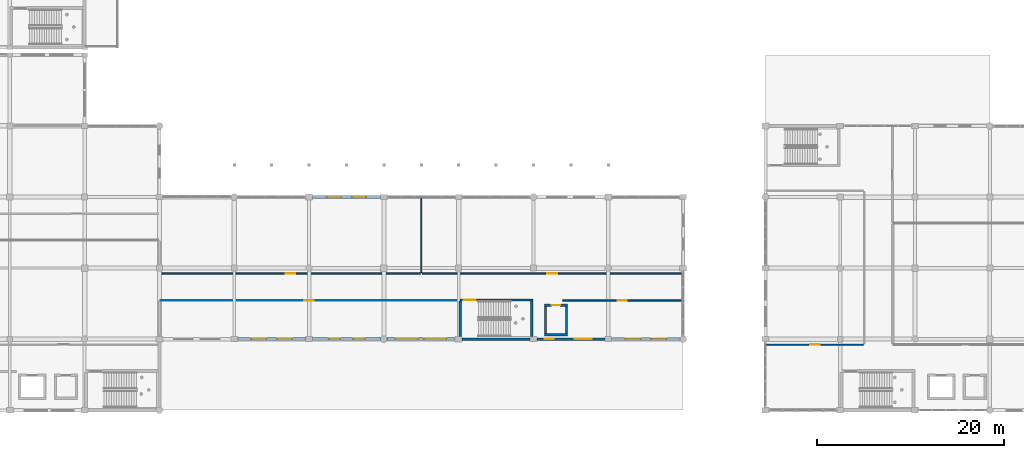
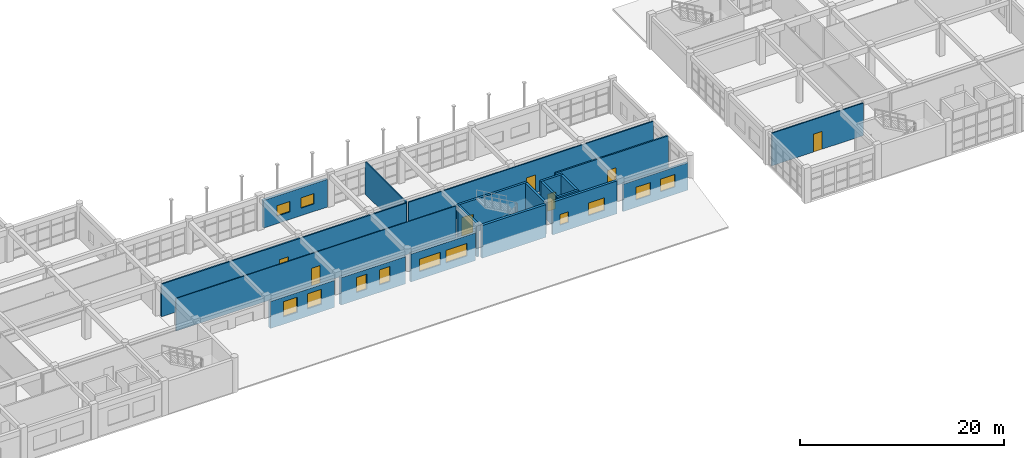
# One storey, part 167 of 195: 20 walls, 12 windows, 7 doors, 19 openings.
"""IFC4 building model written with IfcOpenShell, lengths in metres."""

import ifcopenshell
import ifcopenshell.guid

model = None  # the IFC model being written
_history = None  # IfcOwnerHistory: only IFC2X3 demands one
_inside = {}  # id of a spatial element -> (the spatial element, [elements in it])
_under = {}  # id of a project, library or spatial element -> (it, [spatial elements below it])
_declared = {}  # id of a project -> (the project, [libraries it declares])
_typed = {}  # id of a type object -> (the type object, [elements of that type])
_made_of = {}  # id of a material, layer set ... -> (it, [elements and type objects made of it])


def new_model(schema):
    """Start an empty IFC model of exactly this schema.

    Asked for "IFC4X3", IfcOpenShell would pick the latest addendum, in which some entities
    have other attributes; the version numbers below select the first issue.
    IFC2X3 requires an IfcOwnerHistory on every rooted entity: one is made here for all.
    """
    global model, _history
    if schema == "IFC4X3":
        model = ifcopenshell.file(schema_version=(4, 3, 0, 0))
    else:
        model = ifcopenshell.file(schema=schema)
    _inside.clear()
    _under.clear()
    _declared.clear()
    _typed.clear()
    _made_of.clear()
    _history = None
    if model.schema == "IFC2X3":
        org = make("IfcOrganization", Name="unknown")
        user = make(
            "IfcPersonAndOrganization",
            ThePerson=make("IfcPerson", FamilyName="unknown"),
            TheOrganization=org,
        )
        app = make(
            "IfcApplication",
            ApplicationDeveloper=org,
            Version="unknown",
            ApplicationFullName="unknown",
            ApplicationIdentifier="unknown",
        )
        _history = make(
            "IfcOwnerHistory",
            OwningUser=user,
            OwningApplication=app,
            ChangeAction="ADDED",
            CreationDate=0,
        )
    return model


def make(cls, **values):
    """One entity of the class cls with the attributes given. An attribute that is None is left unset."""
    return model.create_entity(
        cls, **{name: value for name, value in values.items() if value is not None}
    )


def rooted(cls, **values):
    """An entity with a GlobalId (a new one), such as an element, a storey or a relation."""
    return make(cls, GlobalId=ifcopenshell.guid.new(), OwnerHistory=_history, **values)


def si_unit(unit_type, name, prefix=None):
    """IfcSIUnit, for example si_unit("LENGTHUNIT", "METRE", prefix="MILLI")."""
    return make("IfcSIUnit", UnitType=unit_type, Prefix=prefix, Name=name)


def assignment(units):
    """IfcUnitAssignment: the units of a project."""
    return None if units is None else make("IfcUnitAssignment", Units=units)


def point(xyz):
    """IfcCartesianPoint."""
    return None if xyz is None else make("IfcCartesianPoint", Coordinates=xyz)


def direction(xyz):
    """IfcDirection."""
    return None if xyz is None else make("IfcDirection", DirectionRatios=xyz)


def frame(location, z_axis=None, x_axis=None):
    """IfcAxis2Placement3D, a coordinate frame: its origin and axes. An axis left out is left unset."""
    return make(
        "IfcAxis2Placement3D",
        Location=point(location),
        Axis=direction(z_axis),
        RefDirection=direction(x_axis),
    )


def frame_2d(location, x_axis=None):
    """IfcAxis2Placement2D, a coordinate frame in the plane: its origin and x axis."""
    return make(
        "IfcAxis2Placement2D", Location=point(location), RefDirection=direction(x_axis)
    )


def origin():
    """The frame at (0, 0, 0) with its axes left unset."""
    return frame((0.0, 0.0, 0.0))


def place(relative_to, where):
    """IfcLocalPlacement: puts the frame where relative to a parent placement (None: the world)."""
    return make(
        "IfcLocalPlacement", PlacementRelTo=relative_to, RelativePlacement=where
    )


def context(
    kind, dimensions, precision=None, world=None, true_north=None, identifier=None
):
    """IfcGeometricRepresentationContext, for example the 3D "Model" context."""
    return make(
        "IfcGeometricRepresentationContext",
        ContextIdentifier=identifier,
        ContextType=kind,
        CoordinateSpaceDimension=dimensions,
        Precision=precision,
        WorldCoordinateSystem=world,
        TrueNorth=true_north,
    )


def subcontext(parent, identifier, kind, view, scale=None):
    """IfcGeometricRepresentationSubContext, for example "Body" below "Model"."""
    return make(
        "IfcGeometricRepresentationSubContext",
        ContextIdentifier=identifier,
        ContextType=kind,
        ParentContext=parent,
        TargetScale=scale,
        TargetView=view,
    )


def project(units=None, contexts=None):
    """IfcProject with its units and contexts."""
    return rooted(
        "IfcProject",
        Name="project",
        RepresentationContexts=contexts,
        UnitsInContext=assignment(units),
    )


def spatial(cls, under=None, at=None, **own):
    """A site, building, storey or space (cls), placed at a placement, below another one or the project."""
    s = rooted(cls, ObjectPlacement=at, **own)
    if under is not None:
        _under.setdefault(under.id(), (under, []))[1].append(s)
    return s


def profile(cls, at=None, kind="AREA", **sizes):
    """A parametric profile (cls). Its sizes go by their IFC names, for example OverallWidth=200.0."""
    return make(cls, ProfileType=kind, Position=at, **sizes)


def rectangle(**sizes):
    """IfcRectangleProfileDef."""
    return profile("IfcRectangleProfileDef", **sizes)


def extrude(swept, where, along, depth):
    """IfcExtrudedAreaSolid: the profile swept, set in the frame where, extruded along a direction by depth."""
    return make(
        "IfcExtrudedAreaSolid",
        SweptArea=swept,
        Position=where,
        ExtrudedDirection=direction(along),
        Depth=depth,
    )


def shape(context_of_items, identifier, shape_type, items):
    """IfcShapeRepresentation: the items that make up one representation, for example the "Body"."""
    return make(
        "IfcShapeRepresentation",
        ContextOfItems=context_of_items,
        RepresentationIdentifier=identifier,
        RepresentationType=shape_type,
        Items=items,
    )


def material(Name=None, Category=None):
    """IfcMaterial."""
    return make("IfcMaterial", Name=Name, Category=Category)


def layer(
    of_material, thickness, ventilated=None, Name=None, Category=None, Priority=None
):
    """IfcMaterialLayer: one layer of a wall or slab, of a material (None: an air gap)."""
    return make(
        "IfcMaterialLayer",
        Material=of_material,
        LayerThickness=thickness,
        IsVentilated=ventilated,
        Name=Name,
        Category=Category,
        Priority=Priority,
    )


def layer_set(layers, Name=None):
    """IfcMaterialLayerSet."""
    return make("IfcMaterialLayerSet", MaterialLayers=layers, LayerSetName=Name)


def made_of(thing, what):
    """Note that an element or type object is made of a material, layer set ...; save() writes the relation."""
    if what is not None:
        _made_of.setdefault(what.id(), (what, []))[1].append(thing)
    return thing


def type_object(cls, material=None, **own):
    """A type object (cls), such as IfcWallType, which elements share."""
    return made_of(rooted(cls, **own), material)


def element(
    cls,
    number,
    at=None,
    inside=None,
    cuts=None,
    type_object=None,
    material=None,
    context=None,
    identifier="Body",
    shape_type=None,
    held_by="IfcProductDefinitionShape",
    body=None,
    shapes=None,
    **own,
):
    """One element of the class cls, such as IfcWall. Its Tag is "e" and its number.

    at: its placement. inside: the storey or other place that contains it. cuts: it is an
    opening in that element (IfcRelVoidsElement). A single representation is given by context,
    identifier, shape_type and body (its items); several are given by shapes. held_by: the class
    of the entity that holds the representations. save() writes the other relations.
    """
    e = rooted(cls, Tag="e%d" % number, ObjectPlacement=at, **own)
    if body is not None:
        shapes = [shape(context, identifier, shape_type, body)]
    if shapes is not None:
        e.Representation = make(held_by, Representations=shapes)
    if inside is not None:
        _inside.setdefault(inside.id(), (inside, []))[1].append(e)
    if cuts is not None:
        rooted(
            "IfcRelVoidsElement", RelatingBuildingElement=cuts, RelatedOpeningElement=e
        )
    if type_object is not None:
        _typed.setdefault(type_object.id(), (type_object, []))[1].append(e)
    return made_of(e, material)


def fill(opening, filler):
    """IfcRelFillsElement: the door or window that sits in an opening."""
    return rooted(
        "IfcRelFillsElement",
        RelatingOpeningElement=opening,
        RelatedBuildingElement=filler,
    )


def aggregate(whole, parts):
    """IfcRelAggregates: a whole, such as a stair, and the parts it consists of."""
    return rooted("IfcRelAggregates", RelatingObject=whole, RelatedObjects=parts)


def save(model, path):
    """Write the relations noted so far, then the file.

    IfcRelAggregates (storeys below a building ...), IfcRelContainedInSpatialStructure (elements
    in a storey), IfcRelDefinesByType, IfcRelAssociatesMaterial and IfcRelDeclares: one each for
    every whole, place, type object, material and project.
    """
    for whole, parts in _under.values():
        aggregate(whole, parts)
    for where, things in _inside.values():
        rooted(
            "IfcRelContainedInSpatialStructure",
            RelatedElements=things,
            RelatingStructure=where,
        )
    for kind, things in _typed.values():
        rooted("IfcRelDefinesByType", RelatedObjects=things, RelatingType=kind)
    for what, things in _made_of.values():
        rooted("IfcRelAssociatesMaterial", RelatedObjects=things, RelatingMaterial=what)
    for by, libraries in _declared.values():
        rooted("IfcRelDeclares", RelatingContext=by, RelatedDefinitions=libraries)
    model.write(path)


model = new_model("IFC4")

# Units and contexts
model_context = context("Model", 3, precision=1e-05, world=origin(), true_north=direction((0.0, 1.0)))
body_context = subcontext(model_context, "Body", "Model", "MODEL_VIEW")
ifc_project = project(units=[si_unit("LENGTHUNIT", "METRE"), si_unit("AREAUNIT", "SQUARE_METRE"), si_unit("VOLUMEUNIT", "CUBIC_METRE"), si_unit("PLANEANGLEUNIT", "RADIAN"), si_unit("MASSUNIT", "GRAM", prefix="KILO")], contexts=[model_context])

# Site, building, storey
site_placement = place(None, origin())
site = spatial("IfcSite", under=ifc_project, at=site_placement, CompositionType="ELEMENT")
building_placement = place(site_placement, origin())
building = spatial("IfcBuilding", under=site, at=building_placement, Name="Kharva Crest Polytechnic", CompositionType="ELEMENT")
storey_placement = place(building_placement, frame((0.0, 0.0, 9.0)))
storey = spatial("IfcBuildingStorey", under=building, at=storey_placement, Name="L02", CompositionType="ELEMENT", Elevation=9.0)

# Wall, openings, windows
ifc_material_1 = material(Name="Kiln brick masonry", Category="masonry")
ifc_layer_1 = layer(ifc_material_1, 0.260009765625, Name="Kiln brick masonry")
ifc_layer_set_1 = layer_set([ifc_layer_1], Name="Kiln brick masonry")
wall_type_1 = type_object("IfcWallType", Name="WL-EXT-BRK-260", PredefinedType="SOLIDWALL", material=ifc_layer_set_1)
wall_1_placement = place(storey_placement, frame((104.35498046875, 7.60009765625, 0.0), z_axis=(0.0, 0.0, 1.0), x_axis=(1.0, 0.0, 0.0)))
wall_1 = element("IfcWall", 1, at=wall_1_placement, inside=storey, type_object=wall_type_1, Name="L02 Exterior Brick Wall 227", PredefinedType="SOLIDWALL", context=body_context, shape_type="SweptSolid", body=[
    extrude(rectangle(XDim=7.342529296875, YDim=0.260009765625, at=frame_2d((3.67138671875, 0.0))), origin(), (0.0, 0.0, 1.0), 3.27001953125),
])
opening_1_placement = place(wall_1_placement, frame((1.488037109375, 0.0, 0.89990234375)))
opening_1 = element("IfcOpeningElement", 2, at=opening_1_placement, cuts=wall_1, Name="Opening W14", PredefinedType="OPENING", context=body_context, shape_type="SweptSolid", body=[
    extrude(rectangle(XDim=1.60009765625, YDim=1.5, at=frame_2d((0.800048828125, 0.75))), frame((0.0, 0.139892578125, 0.0), z_axis=(0.0, -1.0, 0.0), x_axis=(1.0, 0.0, 0.0)), (0.0, 0.0, 1.0), 0.280029296875),
])
opening_2_placement = place(wall_1_placement, frame((4.2548828125, 0.0, 0.89990234375)))
opening_2 = element("IfcOpeningElement", 3, at=opening_2_placement, cuts=wall_1, Name="Opening W14", PredefinedType="OPENING", context=body_context, shape_type="SweptSolid", body=[
    extrude(rectangle(XDim=1.60009765625, YDim=1.5, at=frame_2d((0.800048828125, 0.75))), frame((0.0, 0.139892578125, 0.0), z_axis=(0.0, -1.0, 0.0), x_axis=(1.0, 0.0, 0.0)), (0.0, 0.0, 1.0), 0.280029296875),
])
ifc_material_2 = material(Name="Anodised aluminium", Category="aluminium")
window_type_1 = type_object("IfcWindowType", Name="WIN-ALU-1600X1500", PartitioningType="SINGLE_PANEL", PredefinedType="WINDOW", material=ifc_material_2)
window_1_placement = place(opening_1_placement, origin())
window_1 = element("IfcWindow", 4, at=window_1_placement, inside=storey, type_object=window_type_1, Name="L02 Exterior Window 299", OverallHeight=1.5, OverallWidth=1.60009765625, PartitioningType="SINGLE_PANEL", PredefinedType="WINDOW", context=body_context, shape_type="SweptSolid", body=[
    extrude(rectangle(XDim=1.60009765625, YDim=1.5, at=frame_2d((0.800048828125, 0.75))), frame((0.0, 0.030029296875, 0.0), z_axis=(0.0, -1.0, 0.0), x_axis=(1.0, 0.0, 0.0)), (0.0, 0.0, 1.0), 0.06005859375),
])
fill(opening_1, window_1)
window_2_placement = place(opening_2_placement, origin())
window_2 = element("IfcWindow", 5, at=window_2_placement, inside=storey, type_object=window_type_1, Name="L02 Exterior Window 300", OverallHeight=1.5, OverallWidth=1.60009765625, PartitioningType="SINGLE_PANEL", PredefinedType="WINDOW", context=body_context, shape_type="SweptSolid", body=[
    extrude(rectangle(XDim=1.60009765625, YDim=1.5, at=frame_2d((0.800048828125, 0.75))), frame((0.0, 0.030029296875, 0.0), z_axis=(0.0, -1.0, 0.0), x_axis=(1.0, 0.0, 0.0)), (0.0, 0.0, 1.0), 0.06005859375),
])
fill(opening_2, window_2)

ifc_layer_2 = layer(ifc_material_1, 0.27490234375, Name="Kiln brick masonry")
ifc_layer_set_2 = layer_set([ifc_layer_2], Name="Kiln brick masonry")
wall_type_2 = type_object("IfcWallType", Name="WL-EXT-BRK-275", PredefinedType="SOLIDWALL", material=ifc_layer_set_2)
wall_2_placement = place(storey_placement, frame((96.3701171875, 7.60009765625, 0.0), z_axis=(0.0, 0.0, 1.0), x_axis=(1.0, 0.0, 0.0)))
wall_2 = element("IfcWall", 6, at=wall_2_placement, inside=storey, type_object=wall_type_2, Name="L02 Exterior Brick Wall 226", PredefinedType="SOLIDWALL", context=body_context, shape_type="SweptSolid", body=[
    extrude(rectangle(XDim=7.27490234375, YDim=0.27490234375, at=frame_2d((3.637451171875, 0.0))), origin(), (0.0, 0.0, 1.0), 3.919921875),
])
opening_3_placement = place(wall_2_placement, frame((0.840087890625, 0.0, 0.89990234375)))
opening_3 = element("IfcOpeningElement", 7, at=opening_3_placement, cuts=wall_2, Name="Opening W22", PredefinedType="OPENING", context=body_context, shape_type="SweptSolid", body=[
    extrude(rectangle(XDim=0.949951171875, YDim=1.25, at=frame_2d((0.47509765625, 0.625))), frame((0.0, 0.1474609375, 0.0), z_axis=(0.0, -1.0, 0.0), x_axis=(1.0, 0.0, 0.0)), (0.0, 0.0, 1.0), 0.294921875),
])
opening_4_placement = place(wall_2_placement, frame((4.052001953125, 0.0, 0.89990234375)))
opening_4 = element("IfcOpeningElement", 8, at=opening_4_placement, cuts=wall_2, Name="Opening W13", PredefinedType="OPENING", context=body_context, shape_type="SweptSolid", body=[
    extrude(rectangle(XDim=1.800048828125, YDim=1.5, at=frame_2d((0.89990234375, 0.75))), frame((0.0, 0.1474609375, 0.0), z_axis=(0.0, -1.0, 0.0), x_axis=(1.0, 0.0, 0.0)), (0.0, 0.0, 1.0), 0.294921875),
])
window_type_2 = type_object("IfcWindowType", Name="WIN-ALU-1800X1500", PartitioningType="SINGLE_PANEL", PredefinedType="WINDOW", material=ifc_material_2)
window_3_placement = place(opening_4_placement, origin())
window_3 = element("IfcWindow", 9, at=window_3_placement, inside=storey, type_object=window_type_2, Name="L02 Exterior Window 298", OverallHeight=1.5, OverallWidth=1.800048828125, PartitioningType="SINGLE_PANEL", PredefinedType="WINDOW", context=body_context, shape_type="SweptSolid", body=[
    extrude(rectangle(XDim=1.800048828125, YDim=1.5, at=frame_2d((0.89990234375, 0.75))), frame((0.0, 0.030029296875, 0.0), z_axis=(0.0, -1.0, 0.0), x_axis=(1.0, 0.0, 0.0)), (0.0, 0.0, 1.0), 0.06005859375),
])
fill(opening_4, window_3)
window_type_3 = type_object("IfcWindowType", Name="WIN-ALU-950X1250", PartitioningType="SINGLE_PANEL", PredefinedType="WINDOW", material=ifc_material_2)
window_4_placement = place(opening_3_placement, origin())
window_4 = element("IfcWindow", 10, at=window_4_placement, inside=storey, type_object=window_type_3, Name="L02 Exterior Window 297", OverallHeight=1.25, OverallWidth=0.949951171875, PartitioningType="SINGLE_PANEL", PredefinedType="WINDOW", context=body_context, shape_type="SweptSolid", body=[
    extrude(rectangle(XDim=0.949951171875, YDim=1.25, at=frame_2d((0.47509765625, 0.625))), frame((0.0, 0.030029296875, 0.0), z_axis=(0.0, -1.0, 0.0), x_axis=(1.0, 0.0, 0.0)), (0.0, 0.0, 1.0), 0.06005859375),
])
fill(opening_3, window_4)

# Wall
ifc_layer_3 = layer(ifc_material_1, 0.2900390625, Name="Kiln brick masonry")
ifc_layer_set_3 = layer_set([ifc_layer_3], Name="Kiln brick masonry")
wall_type_3 = type_object("IfcWallType", Name="WL-EXT-BRK-290", PredefinedType="SOLIDWALL", material=ifc_layer_set_3)
wall_3_placement = place(storey_placement, frame((88.3701171875, 7.60009765625, 0.0), z_axis=(0.0, 0.0, 1.0), x_axis=(1.0, 0.0, 0.0)))
element("IfcWall", 11, at=wall_3_placement, inside=storey, type_object=wall_type_3, Name="L02 Exterior Brick Wall 225", PredefinedType="SOLIDWALL", context=body_context, shape_type="SweptSolid", body=[
    extrude(rectangle(XDim=7.259765625, YDim=0.2900390625, at=frame_2d((3.6298828125, 0.0))), origin(), (0.0, 0.0, 1.0), 3.919921875),
])

# Wall, openings, windows
wall_4_placement = place(storey_placement, frame((79.6298828125, 22.800048828125, 0.0), z_axis=(0.0, 0.0, 1.0), x_axis=(-1.0, 0.0, 0.0)))
wall_4 = element("IfcWall", 12, at=wall_4_placement, inside=storey, type_object=wall_type_3, Name="L02 Exterior Brick Wall 230", PredefinedType="SOLIDWALL", context=body_context, shape_type="SweptSolid", body=[
    extrude(rectangle(XDim=7.259765625, YDim=0.2900390625, at=frame_2d((3.6298828125, 0.0))), origin(), (0.0, 0.0, 1.0), 3.320068359375),
])
opening_5_placement = place(wall_4_placement, frame((1.527099609375, 0.0, 0.89990234375)))
opening_5 = element("IfcOpeningElement", 13, at=opening_5_placement, cuts=wall_4, Name="Opening W20", PredefinedType="OPENING", context=body_context, shape_type="SweptSolid", body=[
    extrude(rectangle(XDim=1.5, YDim=1.25, at=frame_2d((0.75, 0.625))), frame((0.0, 0.155029296875, 0.0), z_axis=(0.0, -1.0, 0.0), x_axis=(1.0, 0.0, 0.0)), (0.0, 0.0, 1.0), 0.31005859375),
])
opening_6_placement = place(wall_4_placement, frame((4.23291015625, 0.0, 0.89990234375)))
opening_6 = element("IfcOpeningElement", 14, at=opening_6_placement, cuts=wall_4, Name="Opening W20", PredefinedType="OPENING", context=body_context, shape_type="SweptSolid", body=[
    extrude(rectangle(XDim=1.5, YDim=1.25, at=frame_2d((0.75, 0.625))), frame((0.0, 0.155029296875, 0.0), z_axis=(0.0, -1.0, 0.0), x_axis=(1.0, 0.0, 0.0)), (0.0, 0.0, 1.0), 0.31005859375),
])
window_type_4 = type_object("IfcWindowType", Name="WIN-ALU-1500X1250", PartitioningType="SINGLE_PANEL", PredefinedType="WINDOW", material=ifc_material_2)
window_5_placement = place(opening_5_placement, origin())
window_5 = element("IfcWindow", 15, at=window_5_placement, inside=storey, type_object=window_type_4, Name="L02 Exterior Window 305", OverallHeight=1.25, OverallWidth=1.5, PartitioningType="SINGLE_PANEL", PredefinedType="WINDOW", context=body_context, shape_type="SweptSolid", body=[
    extrude(rectangle(XDim=1.5, YDim=1.25, at=frame_2d((0.75, 0.625))), frame((0.0, 0.030029296875, 0.0), z_axis=(0.0, -1.0, 0.0), x_axis=(1.0, 0.0, 0.0)), (0.0, 0.0, 1.0), 0.06005859375),
])
fill(opening_5, window_5)
window_6_placement = place(opening_6_placement, origin())
window_6 = element("IfcWindow", 16, at=window_6_placement, inside=storey, type_object=window_type_4, Name="L02 Exterior Window 306", OverallHeight=1.25, OverallWidth=1.5, PartitioningType="SINGLE_PANEL", PredefinedType="WINDOW", context=body_context, shape_type="SweptSolid", body=[
    extrude(rectangle(XDim=1.5, YDim=1.25, at=frame_2d((0.75, 0.625))), frame((0.0, 0.030029296875, 0.0), z_axis=(0.0, -1.0, 0.0), x_axis=(1.0, 0.0, 0.0)), (0.0, 0.0, 1.0), 0.06005859375),
])
fill(opening_6, window_6)

ifc_layer_4 = layer(ifc_material_1, 0.304931640625, Name="Kiln brick masonry")
ifc_layer_set_4 = layer_set([ifc_layer_4], Name="Kiln brick masonry")
wall_type_4 = type_object("IfcWallType", Name="WL-EXT-BRK-305", PredefinedType="SOLIDWALL", material=ifc_layer_set_4)
wall_5_placement = place(storey_placement, frame((80.302490234375, 7.60009765625, 0.0), z_axis=(0.0, 0.0, 1.0), x_axis=(1.0, 0.0, 0.0)))
wall_5 = element("IfcWall", 17, at=wall_5_placement, inside=storey, type_object=wall_type_4, Name="L02 Exterior Brick Wall 224", PredefinedType="SOLIDWALL", context=body_context, shape_type="SweptSolid", body=[
    extrude(rectangle(XDim=7.327392578125, YDim=0.304931640625, at=frame_2d((3.66357421875, 0.0))), origin(), (0.0, 0.0, 1.0), 3.320068359375),
])
opening_7_placement = place(wall_5_placement, frame((0.948974609375, 0.0, 0.89990234375)))
opening_7 = element("IfcOpeningElement", 18, at=opening_7_placement, cuts=wall_5, Name="Opening W10", PredefinedType="OPENING", context=body_context, shape_type="SweptSolid", body=[
    extrude(rectangle(XDim=2.39990234375, YDim=1.5, at=frame_2d((1.199951171875, 0.75))), frame((0.0, 0.162353515625, 0.0), z_axis=(0.0, -1.0, 0.0), x_axis=(1.0, 0.0, 0.0)), (0.0, 0.0, 1.0), 0.324951171875),
])
opening_8_placement = place(wall_5_placement, frame((3.97802734375, 0.0, 0.89990234375)))
opening_8 = element("IfcOpeningElement", 19, at=opening_8_placement, cuts=wall_5, Name="Opening W10", PredefinedType="OPENING", context=body_context, shape_type="SweptSolid", body=[
    extrude(rectangle(XDim=2.39990234375, YDim=1.5, at=frame_2d((1.199951171875, 0.75))), frame((0.0, 0.162353515625, 0.0), z_axis=(0.0, -1.0, 0.0), x_axis=(1.0, 0.0, 0.0)), (0.0, 0.0, 1.0), 0.324951171875),
])
window_type_5 = type_object("IfcWindowType", Name="WIN-ALU-2400X1500", PartitioningType="SINGLE_PANEL", PredefinedType="WINDOW", material=ifc_material_2)
window_7_placement = place(opening_7_placement, origin())
window_7 = element("IfcWindow", 20, at=window_7_placement, inside=storey, type_object=window_type_5, Name="L02 Exterior Window 295", OverallHeight=1.5, OverallWidth=2.39990234375, PartitioningType="SINGLE_PANEL", PredefinedType="WINDOW", context=body_context, shape_type="SweptSolid", body=[
    extrude(rectangle(XDim=2.39990234375, YDim=1.5, at=frame_2d((1.199951171875, 0.75))), frame((0.0, 0.030029296875, 0.0), z_axis=(0.0, -1.0, 0.0), x_axis=(1.0, 0.0, 0.0)), (0.0, 0.0, 1.0), 0.06005859375),
])
fill(opening_7, window_7)
window_8_placement = place(opening_8_placement, origin())
window_8 = element("IfcWindow", 21, at=window_8_placement, inside=storey, type_object=window_type_5, Name="L02 Exterior Window 296", OverallHeight=1.5, OverallWidth=2.39990234375, PartitioningType="SINGLE_PANEL", PredefinedType="WINDOW", context=body_context, shape_type="SweptSolid", body=[
    extrude(rectangle(XDim=2.39990234375, YDim=1.5, at=frame_2d((1.199951171875, 0.75))), frame((0.0, 0.030029296875, 0.0), z_axis=(0.0, -1.0, 0.0), x_axis=(1.0, 0.0, 0.0)), (0.0, 0.0, 1.0), 0.06005859375),
])
fill(opening_8, window_8)

ifc_layer_5 = layer(ifc_material_1, 0.320068359375, Name="Kiln brick masonry")
ifc_layer_set_5 = layer_set([ifc_layer_5], Name="Kiln brick masonry")
wall_type_5 = type_object("IfcWallType", Name="WL-EXT-BRK-320", PredefinedType="SOLIDWALL", material=ifc_layer_set_5)
wall_6_placement = place(storey_placement, frame((72.35498046875, 7.60009765625, 0.0), z_axis=(0.0, 0.0, 1.0), x_axis=(1.0, 0.0, 0.0)))
wall_6 = element("IfcWall", 22, at=wall_6_placement, inside=storey, type_object=wall_type_5, Name="L02 Exterior Brick Wall 223", PredefinedType="SOLIDWALL", context=body_context, shape_type="SweptSolid", body=[
    extrude(rectangle(XDim=7.342529296875, YDim=0.320068359375, at=frame_2d((3.67138671875, 0.0))), origin(), (0.0, 0.0, 1.0), 3.27001953125),
])
opening_9_placement = place(wall_6_placement, frame((1.75390625, 0.0, 0.89990234375)))
opening_9 = element("IfcOpeningElement", 23, at=opening_9_placement, cuts=wall_6, Name="Opening W08", PredefinedType="OPENING", context=body_context, shape_type="SweptSolid", body=[
    extrude(rectangle(XDim=1.199951171875, YDim=1.800048828125, at=frame_2d((0.60009765625, 0.89990234375))), frame((0.0, 0.169921875, 0.0), z_axis=(0.0, -1.0, 0.0), x_axis=(1.0, 0.0, 0.0)), (0.0, 0.0, 1.0), 0.340087890625),
])
opening_10_placement = place(wall_6_placement, frame((4.387939453125, 0.0, 0.89990234375)))
opening_10 = element("IfcOpeningElement", 24, at=opening_10_placement, cuts=wall_6, Name="Opening W08", PredefinedType="OPENING", context=body_context, shape_type="SweptSolid", body=[
    extrude(rectangle(XDim=1.199951171875, YDim=1.800048828125, at=frame_2d((0.60009765625, 0.89990234375))), frame((0.0, 0.169921875, 0.0), z_axis=(0.0, -1.0, 0.0), x_axis=(1.0, 0.0, 0.0)), (0.0, 0.0, 1.0), 0.340087890625),
])
window_type_6 = type_object("IfcWindowType", Name="WIN-ALU-1200X1800", PartitioningType="SINGLE_PANEL", PredefinedType="WINDOW", material=ifc_material_2)
window_9_placement = place(opening_9_placement, origin())
window_9 = element("IfcWindow", 25, at=window_9_placement, inside=storey, type_object=window_type_6, Name="L02 Exterior Window 293", OverallHeight=1.800048828125, OverallWidth=1.199951171875, PartitioningType="SINGLE_PANEL", PredefinedType="WINDOW", context=body_context, shape_type="SweptSolid", body=[
    extrude(rectangle(XDim=1.199951171875, YDim=1.800048828125, at=frame_2d((0.60009765625, 0.89990234375))), frame((0.0, 0.030029296875, 0.0), z_axis=(0.0, -1.0, 0.0), x_axis=(1.0, 0.0, 0.0)), (0.0, 0.0, 1.0), 0.06005859375),
])
fill(opening_9, window_9)
window_10_placement = place(opening_10_placement, origin())
window_10 = element("IfcWindow", 26, at=window_10_placement, inside=storey, type_object=window_type_6, Name="L02 Exterior Window 294", OverallHeight=1.800048828125, OverallWidth=1.199951171875, PartitioningType="SINGLE_PANEL", PredefinedType="WINDOW", context=body_context, shape_type="SweptSolid", body=[
    extrude(rectangle(XDim=1.199951171875, YDim=1.800048828125, at=frame_2d((0.60009765625, 0.89990234375))), frame((0.0, 0.030029296875, 0.0), z_axis=(0.0, -1.0, 0.0), x_axis=(1.0, 0.0, 0.0)), (0.0, 0.0, 1.0), 0.06005859375),
])
fill(opening_10, window_10)

ifc_layer_6 = layer(ifc_material_1, 0.3349609375, Name="Kiln brick masonry")
ifc_layer_set_6 = layer_set([ifc_layer_6], Name="Kiln brick masonry")
wall_type_6 = type_object("IfcWallType", Name="WL-EXT-BRK-335", PredefinedType="SOLIDWALL", material=ifc_layer_set_6)
wall_7_placement = place(storey_placement, frame((64.3701171875, 7.60009765625, 0.0), z_axis=(0.0, 0.0, 1.0), x_axis=(1.0, 0.0, 0.0)))
wall_7 = element("IfcWall", 27, at=wall_7_placement, inside=storey, type_object=wall_type_6, Name="L02 Exterior Brick Wall 222", PredefinedType="SOLIDWALL", context=body_context, shape_type="SweptSolid", body=[
    extrude(rectangle(XDim=7.27490234375, YDim=0.3349609375, at=frame_2d((3.637451171875, 0.0))), origin(), (0.0, 0.0, 1.0), 3.239990234375),
])
opening_11_placement = place(wall_7_placement, frame((1.465087890625, 0.0, 0.89990234375)))
opening_11 = element("IfcOpeningElement", 28, at=opening_11_placement, cuts=wall_7, Name="Opening W06", PredefinedType="OPENING", context=body_context, shape_type="SweptSolid", body=[
    extrude(rectangle(XDim=1.60009765625, YDim=1.800048828125, at=frame_2d((0.800048828125, 0.89990234375))), frame((0.0, 0.177490234375, 0.0), z_axis=(0.0, -1.0, 0.0), x_axis=(1.0, 0.0, 0.0)), (0.0, 0.0, 1.0), 0.35498046875),
])
opening_12_placement = place(wall_7_placement, frame((4.2099609375, 0.0, 0.89990234375)))
opening_12 = element("IfcOpeningElement", 29, at=opening_12_placement, cuts=wall_7, Name="Opening W06", PredefinedType="OPENING", context=body_context, shape_type="SweptSolid", body=[
    extrude(rectangle(XDim=1.60009765625, YDim=1.800048828125, at=frame_2d((0.800048828125, 0.89990234375))), frame((0.0, 0.177490234375, 0.0), z_axis=(0.0, -1.0, 0.0), x_axis=(1.0, 0.0, 0.0)), (0.0, 0.0, 1.0), 0.35498046875),
])
window_type_7 = type_object("IfcWindowType", Name="WIN-ALU-1600X1800", PartitioningType="SINGLE_PANEL", PredefinedType="WINDOW", material=ifc_material_2)
window_11_placement = place(opening_11_placement, origin())
window_11 = element("IfcWindow", 30, at=window_11_placement, inside=storey, type_object=window_type_7, Name="L02 Exterior Window 291", OverallHeight=1.800048828125, OverallWidth=1.60009765625, PartitioningType="SINGLE_PANEL", PredefinedType="WINDOW", context=body_context, shape_type="SweptSolid", body=[
    extrude(rectangle(XDim=1.60009765625, YDim=1.800048828125, at=frame_2d((0.800048828125, 0.89990234375))), frame((0.0, 0.030029296875, 0.0), z_axis=(0.0, -1.0, 0.0), x_axis=(1.0, 0.0, 0.0)), (0.0, 0.0, 1.0), 0.06005859375),
])
fill(opening_11, window_11)
window_12_placement = place(opening_12_placement, origin())
window_12 = element("IfcWindow", 31, at=window_12_placement, inside=storey, type_object=window_type_7, Name="L02 Exterior Window 292", OverallHeight=1.800048828125, OverallWidth=1.60009765625, PartitioningType="SINGLE_PANEL", PredefinedType="WINDOW", context=body_context, shape_type="SweptSolid", body=[
    extrude(rectangle(XDim=1.60009765625, YDim=1.800048828125, at=frame_2d((0.800048828125, 0.89990234375))), frame((0.0, 0.030029296875, 0.0), z_axis=(0.0, -1.0, 0.0), x_axis=(1.0, 0.0, 0.0)), (0.0, 0.0, 1.0), 0.06005859375),
])
fill(opening_12, window_12)

# Wall, opening, door
ifc_layer_7 = layer(ifc_material_1, 0.090087890625, Name="Kiln brick masonry")
ifc_layer_set_7 = layer_set([ifc_layer_7], Name="Kiln brick masonry")
wall_type_7 = type_object("IfcWallType", Name="WL-PART-090", PredefinedType="PARTITIONING", material=ifc_layer_set_7)
wall_8_placement = place(storey_placement, frame((56.1201171875, 11.739990234375, 0.0), z_axis=(0.0, 0.0, 1.0), x_axis=(1.0, 0.0, 0.0)))
wall_8 = element("IfcWall", 32, at=wall_8_placement, inside=storey, type_object=wall_type_7, Name="L02 Interior Partition 229", PredefinedType="PARTITIONING", context=body_context, shape_type="SweptSolid", body=[
    extrude(rectangle(XDim=31.719970703125, YDim=0.090087890625, at=frame_2d((15.85986328125, 0.0))), origin(), (0.0, 0.0, 1.0), 3.89990234375),
])
opening_13_placement = place(wall_8_placement, frame((15.360107421875, 0.0, 0.0)))
opening_13 = element("IfcOpeningElement", 33, at=opening_13_placement, cuts=wall_8, Name="Opening ID12", PredefinedType="OPENING", context=body_context, shape_type="SweptSolid", body=[
    extrude(rectangle(XDim=1.0, YDim=2.14990234375, at=frame_2d((0.5, 1.074951171875))), frame((0.0, 0.054931640625, 0.0), z_axis=(0.0, -1.0, 0.0), x_axis=(1.0, 0.0, 0.0)), (0.0, 0.0, 1.0), 0.110107421875),
])
ifc_material_3 = material(Name="Teak timber", Category="wood")
door_type_1 = type_object("IfcDoorType", Name="DR-OFF-1000X2150", OperationType="NOTDEFINED", PredefinedType="DOOR", material=ifc_material_3)
door_1_placement = place(opening_13_placement, origin())
door_1 = element("IfcDoor", 34, at=door_1_placement, inside=storey, type_object=door_type_1, Name="L02 Civil Engineering Departmental Office Door", OperationType="SINGLE_SWING_LEFT", OverallHeight=2.14990234375, OverallWidth=1.0, PredefinedType="DOOR", context=body_context, shape_type="SweptSolid", body=[
    extrude(rectangle(XDim=1.0, YDim=2.14990234375, at=frame_2d((0.5, 1.074951171875))), frame((0.0, 0.02490234375, 0.0), z_axis=(0.0, -1.0, 0.0), x_axis=(1.0, 0.0, 0.0)), (0.0, 0.0, 1.0), 0.050048828125),
])
fill(opening_13, door_1)

ifc_layer_8 = layer(ifc_material_1, 0.1298828125, Name="Kiln brick masonry")
ifc_layer_set_8 = layer_set([ifc_layer_8], Name="Kiln brick masonry")
wall_type_8 = type_object("IfcWallType", Name="WL-PART-130", PredefinedType="PARTITIONING", material=ifc_layer_set_8)
wall_9_placement = place(storey_placement, frame((120.909912109375, 7.010009765625, 0.0), z_axis=(0.0, 0.0, 1.0), x_axis=(1.0, 0.0, 0.0)))
wall_9 = element("IfcWall", 35, at=wall_9_placement, inside=storey, type_object=wall_type_8, Name="L02 Interior Partition 235", PredefinedType="PARTITIONING", context=body_context, shape_type="SweptSolid", body=[
    extrude(rectangle(XDim=10.3701171875, YDim=0.1298828125, at=frame_2d((5.18505859375, 0.0))), origin(), (0.0, 0.0, 1.0), 3.89990234375),
])
opening_14_placement = place(wall_9_placement, frame((4.68505859375, 0.0, 0.0)))
opening_14 = element("IfcOpeningElement", 36, at=opening_14_placement, cuts=wall_9, Name="Opening ID12", PredefinedType="OPENING", context=body_context, shape_type="SweptSolid", body=[
    extrude(rectangle(XDim=1.0, YDim=2.14990234375, at=frame_2d((0.5, 1.074951171875))), frame((0.0, 0.074951171875, 0.0), z_axis=(0.0, -1.0, 0.0), x_axis=(1.0, 0.0, 0.0)), (0.0, 0.0, 1.0), 0.14990234375),
])
door_2_placement = place(opening_14_placement, origin())
door_2 = element("IfcDoor", 37, at=door_2_placement, inside=storey, type_object=door_type_1, Name="L02 Terrace Dining Lounge Door", OperationType="SINGLE_SWING_LEFT", OverallHeight=2.14990234375, OverallWidth=1.0, PredefinedType="DOOR", context=body_context, shape_type="SweptSolid", body=[
    extrude(rectangle(XDim=1.0, YDim=2.14990234375, at=frame_2d((0.5, 1.074951171875))), frame((0.0, 0.02490234375, 0.0), z_axis=(0.0, -1.0, 0.0), x_axis=(1.0, 0.0, 0.0)), (0.0, 0.0, 1.0), 0.050048828125),
])
fill(opening_14, door_2)

ifc_layer_9 = layer(ifc_material_1, 0.139892578125, Name="Kiln brick masonry")
ifc_layer_set_9 = layer_set([ifc_layer_9], Name="Kiln brick masonry")
wall_type_9 = type_object("IfcWallType", Name="WL-PART-140", PredefinedType="PARTITIONING", material=ifc_layer_set_9)
wall_10_placement = place(storey_placement, frame((84.1201171875, 14.610107421875, 0.0), z_axis=(0.0, 0.0, 1.0), x_axis=(1.0, 0.0, 0.0)))
wall_10 = element("IfcWall", 38, at=wall_10_placement, inside=storey, type_object=wall_type_9, Name="L02 Interior Partition 234", PredefinedType="PARTITIONING", context=body_context, shape_type="SweptSolid", body=[
    extrude(rectangle(XDim=27.769775390625, YDim=0.139892578125, at=frame_2d((13.884765625, 0.0))), origin(), (0.0, 0.0, 1.0), 3.89990234375),
])
opening_15_placement = place(wall_10_placement, frame((13.364990234375, 0.0, 0.0)))
opening_15 = element("IfcOpeningElement", 39, at=opening_15_placement, cuts=wall_10, Name="Opening ID11", PredefinedType="OPENING", context=body_context, shape_type="SweptSolid", body=[
    extrude(rectangle(XDim=1.0400390625, YDim=2.14990234375, at=frame_2d((0.52001953125, 1.074951171875))), frame((0.0, 0.079833984375, 0.0), z_axis=(0.0, -1.0, 0.0), x_axis=(1.0, 0.0, 0.0)), (0.0, 0.0, 1.0), 0.159912109375),
])
door_type_2 = type_object("IfcDoorType", Name="DR-CLS-1040X2150", OperationType="NOTDEFINED", PredefinedType="DOOR", material=ifc_material_3)
door_3_placement = place(opening_15_placement, origin())
door_3 = element("IfcDoor", 40, at=door_3_placement, inside=storey, type_object=door_type_2, Name="L02 Graduate Seminar Room L02 Door", OperationType="SINGLE_SWING_RIGHT", OverallHeight=2.14990234375, OverallWidth=1.0400390625, PredefinedType="DOOR", context=body_context, shape_type="SweptSolid", body=[
    extrude(rectangle(XDim=1.0400390625, YDim=2.14990234375, at=frame_2d((0.52001953125, 1.074951171875))), frame((0.0, 0.02490234375, 0.0), z_axis=(0.0, -1.0, 0.0), x_axis=(1.0, 0.0, 0.0)), (0.0, 0.0, 1.0), 0.050048828125),
])
fill(opening_15, door_3)

# Wall
ifc_layer_10 = layer(ifc_material_1, 0.14990234375, Name="Kiln brick masonry")
ifc_layer_set_10 = layer_set([ifc_layer_10], Name="Kiln brick masonry")
wall_type_10 = type_object("IfcWallType", Name="WL-PART-150", PredefinedType="PARTITIONING", material=ifc_layer_set_10)
wall_11_placement = place(storey_placement, frame((84.0, 14.719970703125, 0.0), z_axis=(0.0, 0.0, 1.0), x_axis=(0.0, 1.0, 0.0)))
element("IfcWall", 41, at=wall_11_placement, inside=storey, type_object=wall_type_10, Name="L02 Interior Partition 233", PredefinedType="PARTITIONING", context=body_context, shape_type="SweptSolid", body=[
    extrude(rectangle(XDim=7.969970703125, YDim=0.14990234375, at=frame_2d((3.98486328125, 0.0))), origin(), (0.0, 0.0, 1.0), 3.89990234375),
])

# Wall, opening, door
ifc_layer_11 = layer(ifc_material_1, 0.159912109375, Name="Kiln brick masonry")
ifc_layer_set_11 = layer_set([ifc_layer_11], Name="Kiln brick masonry")
wall_type_11 = type_object("IfcWallType", Name="WL-PART-160", PredefinedType="PARTITIONING", material=ifc_layer_set_11)
wall_12_placement = place(storey_placement, frame((56.118896484375, 14.610107421875, 0.0), z_axis=(0.0, 0.0, 1.0), x_axis=(1.0, 0.0, 0.0)))
wall_12 = element("IfcWall", 42, at=wall_12_placement, inside=storey, type_object=wall_type_11, Name="L02 Interior Partition 232", PredefinedType="PARTITIONING", context=body_context, shape_type="SweptSolid", body=[
    extrude(rectangle(XDim=27.77099609375, YDim=0.159912109375, at=frame_2d((13.885498046875, 0.0))), origin(), (0.0, 0.0, 1.0), 3.89990234375),
])
opening_16_placement = place(wall_12_placement, frame((13.385986328125, 0.0, 0.0)))
opening_16 = element("IfcOpeningElement", 43, at=opening_16_placement, cuts=wall_12, Name="Opening ID12", PredefinedType="OPENING", context=body_context, shape_type="SweptSolid", body=[
    extrude(rectangle(XDim=1.0, YDim=2.14990234375, at=frame_2d((0.5, 1.074951171875))), frame((0.0, 0.08984375, 0.0), z_axis=(0.0, -1.0, 0.0), x_axis=(1.0, 0.0, 0.0)), (0.0, 0.0, 1.0), 0.179931640625),
])
door_4_placement = place(opening_16_placement, origin())
door_4 = element("IfcDoor", 44, at=door_4_placement, inside=storey, type_object=door_type_1, Name="L02 Faculty Office L02-S1 Door", OperationType="SINGLE_SWING_LEFT", OverallHeight=2.14990234375, OverallWidth=1.0, PredefinedType="DOOR", context=body_context, shape_type="SweptSolid", body=[
    extrude(rectangle(XDim=1.0, YDim=2.14990234375, at=frame_2d((0.5, 1.074951171875))), frame((0.0, 0.02490234375, 0.0), z_axis=(0.0, -1.0, 0.0), x_axis=(1.0, 0.0, 0.0)), (0.0, 0.0, 1.0), 0.050048828125),
])
fill(opening_16, door_4)

ifc_layer_12 = layer(ifc_material_1, 0.169921875, Name="Kiln brick masonry")
ifc_layer_set_12 = layer_set([ifc_layer_12], Name="Kiln brick masonry")
wall_type_12 = type_object("IfcWallType", Name="WL-PART-170", PredefinedType="PARTITIONING", material=ifc_layer_set_12)
wall_13_placement = place(storey_placement, frame((99.110107421875, 11.739990234375, 0.0), z_axis=(0.0, 0.0, 1.0), x_axis=(1.0, 0.0, 0.0)))
wall_13 = element("IfcWall", 45, at=wall_13_placement, inside=storey, type_object=wall_type_12, Name="L02 Interior Partition 231", PredefinedType="PARTITIONING", context=body_context, shape_type="SweptSolid", body=[
    extrude(rectangle(XDim=12.77978515625, YDim=0.169921875, at=frame_2d((6.389892578125, 0.0))), origin(), (0.0, 0.0, 1.0), 3.89990234375),
])
opening_17_placement = place(wall_13_placement, frame((5.909912109375, 0.0, 0.0)))
opening_17 = element("IfcOpeningElement", 46, at=opening_17_placement, cuts=wall_13, Name="Opening ID13", PredefinedType="OPENING", context=body_context, shape_type="SweptSolid", body=[
    extrude(rectangle(XDim=0.9599609375, YDim=2.14990234375, at=frame_2d((0.47998046875, 1.074951171875))), frame((0.0, 0.094970703125, 0.0), z_axis=(0.0, -1.0, 0.0), x_axis=(1.0, 0.0, 0.0)), (0.0, 0.0, 1.0), 0.18994140625),
])
door_type_3 = type_object("IfcDoorType", Name="DR-OFF-960X2150", OperationType="NOTDEFINED", PredefinedType="DOOR", material=ifc_material_3)
door_5_placement = place(opening_17_placement, origin())
door_5 = element("IfcDoor", 47, at=door_5_placement, inside=storey, type_object=door_type_3, Name="L02 Mechanical Engineering Departmental Office Door", OperationType="SINGLE_SWING_RIGHT", OverallHeight=2.14990234375, OverallWidth=0.9599609375, PredefinedType="DOOR", context=body_context, shape_type="SweptSolid", body=[
    extrude(rectangle(XDim=0.9599609375, YDim=2.14990234375, at=frame_2d((0.47998046875, 1.074951171875))), frame((0.0, 0.02490234375, 0.0), z_axis=(0.0, -1.0, 0.0), x_axis=(1.0, 0.0, 0.0)), (0.0, 0.0, 1.0), 0.050048828125),
])
fill(opening_17, door_5)

ifc_material_4 = material(Name="Concrete C40/50", Category="concrete")
ifc_layer_13 = layer(ifc_material_4, 0.25, Name="Concrete C40/50")
ifc_layer_set_13 = layer_set([ifc_layer_13], Name="Concrete C40/50")
wall_type_13 = type_object("IfcWallType", Name="WL-SHEAR-SW1-250", PredefinedType="SHEAR", material=ifc_layer_set_13)
wall_14_placement = place(storey_placement, frame((88.050048828125, 11.784912109375, 0.0), z_axis=(0.0, 0.0, 1.0), x_axis=(1.0, 0.0, 0.0)))
wall_14 = element("IfcWall", 48, at=wall_14_placement, inside=storey, type_object=wall_type_13, Name="L02 South Entrance Wing Stair C8 North Shear Wall", PredefinedType="SHEAR", context=body_context, shape_type="SweptSolid", body=[
    extrude(rectangle(XDim=7.89990234375, YDim=0.25, at=frame_2d((3.949951171875, 0.0))), origin(), (0.0, 0.0, 1.0), 3.919921875),
])
opening_18_placement = place(wall_14_placement, frame((0.5, 0.0, 0.0)))
opening_18 = element("IfcOpeningElement", 49, at=opening_18_placement, cuts=wall_14, Name="Opening FD1B", PredefinedType="OPENING", context=body_context, shape_type="SweptSolid", body=[
    extrude(rectangle(XDim=1.25, YDim=2.199951171875, at=frame_2d((0.625, 1.10009765625))), frame((0.0, 0.135009765625, 0.0), z_axis=(0.0, -1.0, 0.0), x_axis=(1.0, 0.0, 0.0)), (0.0, 0.0, 1.0), 0.27001953125),
])
door_type_4 = type_object("IfcDoorType", Name="DR-STAIR-1250X2200", OperationType="NOTDEFINED", PredefinedType="DOOR", material=ifc_material_3)
door_6_placement = place(opening_18_placement, origin())
door_6 = element("IfcDoor", 50, at=door_6_placement, inside=storey, type_object=door_type_4, Name="L02 ST-08 Stair Door", OperationType="SINGLE_SWING_RIGHT", OverallHeight=2.199951171875, OverallWidth=1.25, PredefinedType="DOOR", context=body_context, shape_type="SweptSolid", body=[
    extrude(rectangle(XDim=1.25, YDim=2.199951171875, at=frame_2d((0.625, 1.10009765625))), frame((0.0, 0.02490234375, 0.0), z_axis=(0.0, -1.0, 0.0), x_axis=(1.0, 0.0, 0.0)), (0.0, 0.0, 1.0), 0.050048828125),
])
fill(opening_18, door_6)

# Walls
for number, where, z_axis, x_axis, name in (
    (51, (88.175048828125, 7.89990234375, 0.0), (0.0, 0.0, 1.0), (0.0, 1.0, 0.0), "L02 South Entrance Wing Stair C8 West Shear Wall"),
    (52, (95.824951171875, 7.89990234375, 0.0), (0.0, 0.0, 1.0), (0.0, 1.0, 0.0), "L02 South Entrance Wing Stair C8 East Shear Wall"),
):
    element("IfcWall", number, at=place(storey_placement, frame(where, z_axis=z_axis, x_axis=x_axis)), inside=storey, type_object=wall_type_13, Name=name, PredefinedType="SHEAR", context=body_context, shape_type="SweptSolid", body=[
        extrude(rectangle(XDim=3.760009765625, YDim=0.25, at=frame_2d((1.8798828125, 0.0))), origin(), (0.0, 0.0, 1.0), 3.919921875),
    ])
wall_15_placement = place(storey_placement, frame((97.14990234375, 8.074951171875, 0.0), z_axis=(0.0, 0.0, 1.0), x_axis=(1.0, 0.0, 0.0)))
element("IfcWall", 53, at=wall_15_placement, inside=storey, type_object=wall_type_13, Name="L02 Core C8 Riser South Wall", PredefinedType="SHEAR", context=body_context, shape_type="SweptSolid", body=[
    extrude(rectangle(XDim=2.5, YDim=0.25, at=frame_2d((1.25, 0.0))), origin(), (0.0, 0.0, 1.0), 3.919921875),
])

# Wall, opening, door
wall_16_placement = place(storey_placement, frame((97.14990234375, 11.22509765625, 0.0), z_axis=(0.0, 0.0, 1.0), x_axis=(1.0, 0.0, 0.0)))
wall_16 = element("IfcWall", 54, at=wall_16_placement, inside=storey, type_object=wall_type_13, Name="L02 Core C8 Riser North Wall", PredefinedType="SHEAR", context=body_context, shape_type="SweptSolid", body=[
    extrude(rectangle(XDim=2.5, YDim=0.25, at=frame_2d((1.25, 0.0))), origin(), (0.0, 0.0, 1.0), 3.919921875),
])
opening_19_placement = place(wall_16_placement, frame((0.800048828125, 0.0, 0.0)))
opening_19 = element("IfcOpeningElement", 55, at=opening_19_placement, cuts=wall_16, Name="Opening FD3", PredefinedType="OPENING", context=body_context, shape_type="SweptSolid", body=[
    extrude(rectangle(XDim=0.89990234375, YDim=2.050048828125, at=frame_2d((0.449951171875, 1.02490234375))), frame((0.0, 0.135009765625, 0.0), z_axis=(0.0, -1.0, 0.0), x_axis=(1.0, 0.0, 0.0)), (0.0, 0.0, 1.0), 0.27001953125),
])
door_type_5 = type_object("IfcDoorType", Name="DR-RISER-900X2050", OperationType="NOTDEFINED", PredefinedType="DOOR", material=ifc_material_2)
door_7_placement = place(opening_19_placement, origin())
door_7 = element("IfcDoor", 56, at=door_7_placement, inside=storey, type_object=door_type_5, Name="L02 Core C8 Riser Access Door", OperationType="SINGLE_SWING_LEFT", OverallHeight=2.050048828125, OverallWidth=0.89990234375, PredefinedType="DOOR", context=body_context, shape_type="SweptSolid", body=[
    extrude(rectangle(XDim=0.89990234375, YDim=2.050048828125, at=frame_2d((0.449951171875, 1.02490234375))), frame((0.0, 0.02490234375, 0.0), z_axis=(0.0, -1.0, 0.0), x_axis=(1.0, 0.0, 0.0)), (0.0, 0.0, 1.0), 0.050048828125),
])
fill(opening_19, door_7)

# Walls
for number, where, z_axis, x_axis, name in (
    (57, (97.27490234375, 8.199951171875, 0.0), (0.0, 0.0, 1.0), (0.0, 1.0, 0.0), "L02 Core C8 Riser West Wall"),
    (58, (99.52490234375, 8.199951171875, 0.0), (0.0, 0.0, 1.0), (0.0, 1.0, 0.0), "L02 Core C8 Riser East Wall"),
):
    element("IfcWall", number, at=place(storey_placement, frame(where, z_axis=z_axis, x_axis=x_axis)), inside=storey, type_object=wall_type_13, Name=name, PredefinedType="SHEAR", context=body_context, shape_type="SweptSolid", body=[
        extrude(rectangle(XDim=2.900146484375, YDim=0.25, at=frame_2d((1.4501953125, 0.0))), origin(), (0.0, 0.0, 1.0), 3.919921875),
    ])

save(model, "model.ifc")
